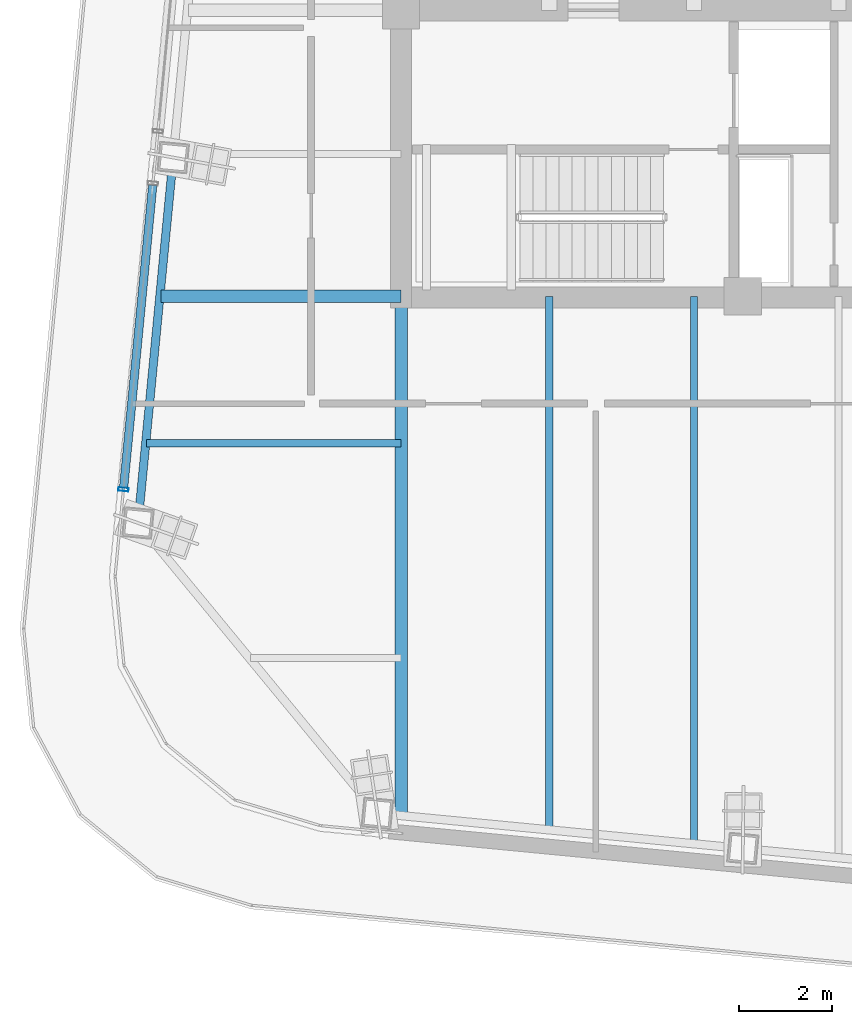
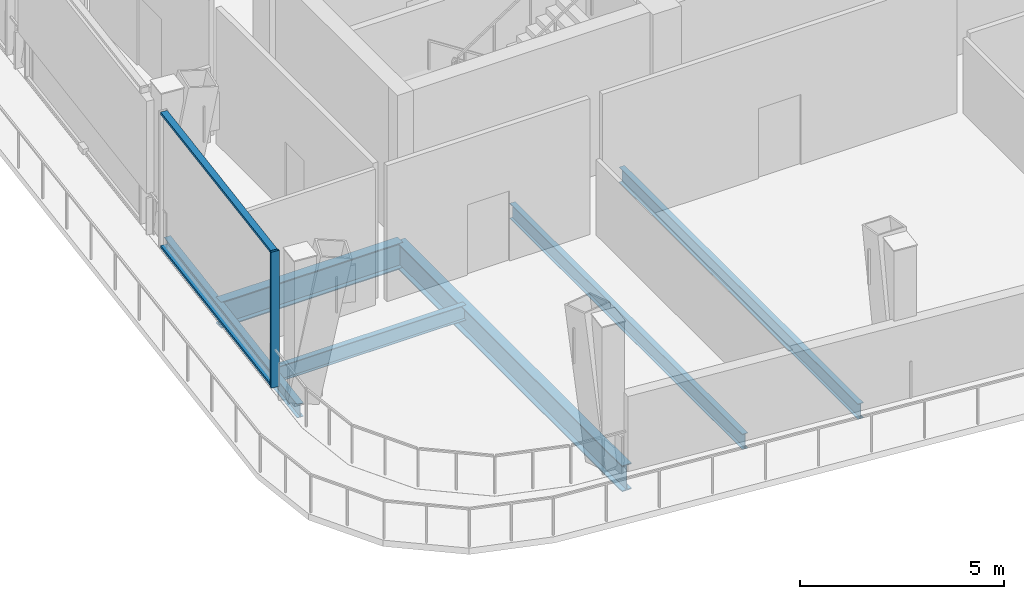
# One storey, part 2 of 19: 6 beams, 3 members, 1 element without a shape of its own.
"""IFC4 building model written with IfcOpenShell, lengths in metres."""

from ifc_helpers import new_model, si_unit, direction, frame, origin, origin_2d, place, context, subcontext, project, spatial, hollow_rectangle, i_section, extrude, material, layer, layer_set, material_profile, profile_set, type_object, element, aggregate, save


model = new_model("IFC4")

# Units and contexts
model_context = context("Model", 3, precision=1e-05, world=origin(), true_north=direction((0.0, 1.0)))
body_context = subcontext(model_context, "Body", "Model", "MODEL_VIEW")
ifc_project = project(units=[si_unit("LENGTHUNIT", "METRE"), si_unit("AREAUNIT", "SQUARE_METRE"), si_unit("VOLUMEUNIT", "CUBIC_METRE"), si_unit("PLANEANGLEUNIT", "RADIAN"), si_unit("MASSUNIT", "GRAM", prefix="KILO")], contexts=[model_context])

# Site, building, storey
site_placement = place(None, origin())
site = spatial("IfcSite", under=ifc_project, at=site_placement, CompositionType="ELEMENT")
building_placement = place(site_placement, origin())
building = spatial("IfcBuilding", under=site, at=building_placement, Name="Qhalaya Broadcast Tower", CompositionType="ELEMENT")
storey_placement = place(building_placement, frame((0.0, 0.0, 280.550048828125)))
storey = spatial("IfcBuildingStorey", under=building, at=storey_placement, Name="L83", CompositionType="ELEMENT", Elevation=280.550048828125)

# Beams
ifc_material_1 = material(Name="Structural Steel ASTM A992 Grade 50", Category="steel")
ifc_material_profile_1 = material_profile(ifc_material_1, i_section(OverallWidth=0.154052734375, OverallDepth=0.458984375, WebThickness=0.009033203125, FlangeThickness=0.015380859375, at=origin_2d()), Name="W18X46")
ifc_profile_set_1 = profile_set([ifc_material_profile_1], Name="Structural Steel ASTM A992 Grade 50")
beam_type_1 = type_object("IfcBeamType", Name="Composite Floor Joist J04", PredefinedType="JOIST", material=ifc_profile_set_1)
beam_1_placement = place(storey_placement, frame((-6.199951171875, -20.1630859375, -0.41943359375), z_axis=(0.0, 1.0, 0.0), x_axis=(-1.0, 0.0, 0.0)))
element("IfcBeam", 1, at=beam_1_placement, inside=storey, type_object=beam_type_1, Name="L83 J04 L83-JNS1-1", PredefinedType="JOIST", context=body_context, shape_type="SweptSolid", body=[
    extrude(i_section(OverallWidth=0.154052734375, OverallDepth=0.458984375, WebThickness=0.009033203125, FlangeThickness=0.015380859375, at=origin_2d()), origin(), (0.0, 0.0, 1.0), 11.4130859375),
])
beam_2_placement = place(storey_placement, frame((-3.10009765625, -20.46142578125, -0.41943359375), z_axis=(0.0, 1.0, 0.0), x_axis=(-1.0, 0.0, 0.0)))
element("IfcBeam", 2, at=beam_2_placement, inside=storey, type_object=beam_type_1, Name="L83 J04 L83-JNS2-1", PredefinedType="JOIST", context=body_context, shape_type="SweptSolid", body=[
    extrude(i_section(OverallWidth=0.154052734375, OverallDepth=0.458984375, WebThickness=0.009033203125, FlangeThickness=0.015380859375, at=origin_2d()), origin(), (0.0, 0.0, 1.0), 11.71142578125),
])
beam_3_placement = place(storey_placement, frame((-14.82568359375, -11.89990234375, -0.41943359375), z_axis=(1.0, 0.0, 0.0), x_axis=(0.0, 1.0, 0.0)))
element("IfcBeam", 3, at=beam_3_placement, inside=storey, type_object=beam_type_1, Name="L83 J04 L83-JWE2W-1", PredefinedType="JOIST", context=body_context, shape_type="SweptSolid", body=[
    extrude(i_section(OverallWidth=0.154052734375, OverallDepth=0.458984375, WebThickness=0.009033203125, FlangeThickness=0.015380859375, at=origin_2d()), origin(), (0.0, 0.0, 1.0), 5.45068359375),
])
ifc_material_profile_2 = material_profile(ifc_material_1, i_section(OverallWidth=0.26708984375, OverallDepth=0.780029296875, WebThickness=0.0166015625, FlangeThickness=0.030029296875, at=origin_2d()), Name="W30X148")
ifc_profile_set_2 = profile_set([ifc_material_profile_2], Name="Structural Steel ASTM A992 Grade 50")
beam_type_2 = type_object("IfcBeamType", Name="Neck & Crown Primary Girder PG5", PredefinedType="USERDEFINED", material=ifc_profile_set_2)
beam_4_placement = place(storey_placement, frame((-9.375, -19.857421875, -0.580078125), z_axis=(0.0, 1.0, 0.0), x_axis=(-1.0, 0.0, 0.0)))
element("IfcBeam", 4, at=beam_4_placement, inside=storey, type_object=beam_type_2, Name="L83 PG5 L83-PGXS1-1", ObjectType="GIRDER", PredefinedType="USERDEFINED", context=body_context, shape_type="SweptSolid", body=[
    extrude(i_section(OverallWidth=0.26708984375, OverallDepth=0.780029296875, WebThickness=0.0166015625, FlangeThickness=0.030029296875, at=origin_2d()), origin(), (0.0, 0.0, 1.0), 11.107421875),
])
beam_5_placement = place(storey_placement, frame((-14.5224609375, -8.75, -0.580078125), z_axis=(1.0, 0.0, 0.0), x_axis=(0.0, 1.0, 0.0)))
element("IfcBeam", 5, at=beam_5_placement, inside=storey, type_object=beam_type_2, Name="L83 PG5 L83-PGYW1-1", ObjectType="GIRDER", PredefinedType="USERDEFINED", context=body_context, shape_type="SweptSolid", body=[
    extrude(i_section(OverallWidth=0.26708984375, OverallDepth=0.780029296875, WebThickness=0.0166015625, FlangeThickness=0.030029296875, at=origin_2d()), origin(), (0.0, 0.0, 1.0), 5.1474609375),
])

# Curtain wall, members
ifc_material_2 = material(Name="Solar-Control Low-E Triple Glazing", Category="glass")
ifc_layer = layer(ifc_material_2, 0.219970703125, Name="Solar-Control Low-E Triple Glazing")
ifc_layer_set = layer_set([ifc_layer], Name="Solar-Control Low-E Triple Glazing")
curtain_wall_type = type_object("IfcCurtainWallType", Name="Crown Garden & Observation Windscreen Curtain Wall CW-06", PredefinedType="NOTDEFINED", material=ifc_layer_set)
curtain_wall_placement = place(storey_placement, origin())
curtain_wall = element("IfcCurtainWall", 6, at=curtain_wall_placement, inside=storey, type_object=curtain_wall_type, Name="L83 Unitised Curtain Wall L83-CW-W3", PredefinedType="NOTDEFINED")
ifc_material_3 = material(Name="Anodised Aluminium 6063-T6", Category="aluminium")
ifc_material_profile_3 = material_profile(ifc_material_3, hollow_rectangle(XDim=0.074951171875, YDim=0.219970703125, WallThickness=0.00390625, at=origin_2d()), Name="ALU-MUL 75x220x4")
ifc_profile_set_3 = profile_set([ifc_material_profile_3], Name="Anodised Aluminium 6063-T6")
member_type_1 = type_object("IfcMemberType", Name="Unitised Curtain-Wall Mullion M01", PredefinedType="MULLION", material=ifc_profile_set_3)
member_1_placement = place(storey_placement, frame((-15.32275390625, -12.887451171875, 0.0), z_axis=(0.0, 0.0, 1.0), x_axis=(-0.095842545179, -0.995396507194, 0.0)))
member_1 = element("IfcMember", 7, at=member_1_placement, type_object=member_type_1, Name="CW-06 mullion 2", PredefinedType="MULLION", context=body_context, shape_type="SweptSolid", body=[
    extrude(hollow_rectangle(XDim=0.074951171875, YDim=0.219970703125, WallThickness=0.00390625, at=origin_2d()), origin(), (0.0, 0.0, 1.0), 4.070068359375),
])
ifc_material_profile_4 = material_profile(ifc_material_3, hollow_rectangle(XDim=0.074951171875, YDim=0.179931640625, WallThickness=0.00390625, at=origin_2d()), Name="ALU-TRN 75x180x4")
ifc_profile_set_4 = profile_set([ifc_material_profile_4], Name="Anodised Aluminium 6063-T6")
member_type_2 = type_object("IfcMemberType", Name="Unitised Curtain-Wall Transom T01", PredefinedType="USERDEFINED", material=ifc_profile_set_4)
member_2_placement = place(storey_placement, frame((-14.695068359375, -6.3681640625, 0.037353515625), z_axis=(-0.095824560212, -0.995398238727, 0.0), x_axis=(0.0, 0.0, 1.0)))
member_2 = element("IfcMember", 8, at=member_2_placement, type_object=member_type_2, Name="CW-06 transom 1.1", ObjectType="TRANSOM", PredefinedType="USERDEFINED", context=body_context, shape_type="SweptSolid", body=[
    extrude(hollow_rectangle(XDim=0.074951171875, YDim=0.179931640625, WallThickness=0.00390625, at=origin_2d()), origin(), (0.0, 0.0, 1.0), 6.51220703125),
])
member_3_placement = place(storey_placement, frame((-14.695068359375, -6.3681640625, 4.032470703125), z_axis=(-0.095824560212, -0.995398238727, 0.0), x_axis=(0.0, 0.0, 1.0)))
member_3 = element("IfcMember", 9, at=member_3_placement, type_object=member_type_2, Name="CW-06 transom 1.2", ObjectType="TRANSOM", PredefinedType="USERDEFINED", context=body_context, shape_type="SweptSolid", body=[
    extrude(hollow_rectangle(XDim=0.074951171875, YDim=0.179931640625, WallThickness=0.00390625, at=origin_2d()), origin(), (0.0, 0.0, 1.0), 6.51220703125),
])
aggregate(curtain_wall, [member_1, member_2, member_3])

# Beam
ifc_material_profile_5 = material_profile(ifc_material_1, i_section(OverallWidth=0.177978515625, OverallDepth=0.406005859375, WebThickness=0.0078125, FlangeThickness=0.0126953125, at=origin_2d()), Name="W16X40")
ifc_profile_set_5 = profile_set([ifc_material_profile_5], Name="Structural Steel ASTM A992 Grade 50")
beam_type_3 = type_object("IfcBeamType", Name="Upper Perimeter Spandrel Beam SP2", PredefinedType="SPANDREL", material=ifc_profile_set_5)
beam_6_placement = place(storey_placement, frame((-14.25634765625, -5.77783203125, -0.39306640625), z_axis=(-0.095864972855, -0.995394347472, 0.0), x_axis=(0.995394347472, -0.095864972855, 0.0)))
element("IfcBeam", 10, at=beam_6_placement, inside=storey, type_object=beam_type_3, Name="L83 SP2 L83-SPR-15", PredefinedType="SPANDREL", context=body_context, shape_type="SweptSolid", body=[
    extrude(i_section(OverallWidth=0.177978515625, OverallDepth=0.406005859375, WebThickness=0.0078125, FlangeThickness=0.0126953125, at=origin_2d()), origin(), (0.0, 0.0, 1.0), 7.86669921875),
])

save(model, "model.ifc")
